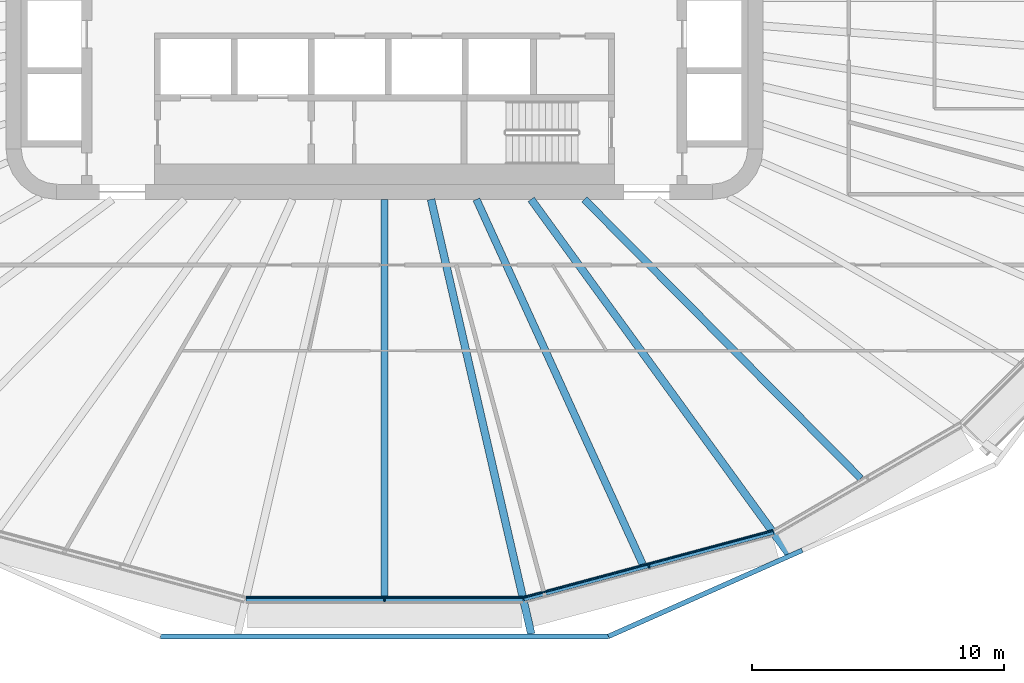
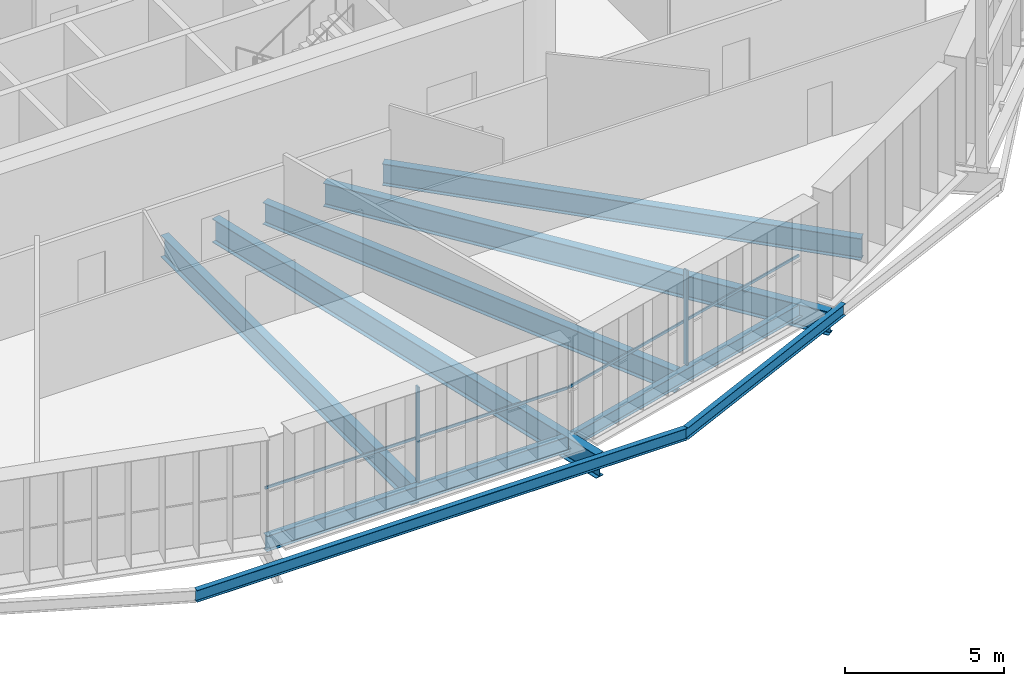
# One storey, part 4 of 26: 9 beams, 4 members, 2 elements without a shape of their own.
"""IFC4 building model written with IfcOpenShell, lengths in metres."""

from ifc_helpers import new_model, si_unit, direction, frame, origin, origin_2d, place, context, subcontext, project, spatial, rectangle, i_section, extrude, material, layer, layer_set, material_profile, profile_set, type_object, element, aggregate, save


model = new_model("IFC4")

# Units and contexts
model_context = context("Model", 3, precision=1e-05, world=origin(), true_north=direction((0.0, 1.0)))
body_context = subcontext(model_context, "Body", "Model", "MODEL_VIEW")
ifc_project = project(units=[si_unit("LENGTHUNIT", "METRE"), si_unit("AREAUNIT", "SQUARE_METRE"), si_unit("VOLUMEUNIT", "CUBIC_METRE"), si_unit("PLANEANGLEUNIT", "RADIAN"), si_unit("MASSUNIT", "GRAM", prefix="KILO")], contexts=[model_context])

# Site, building, storey
site_placement = place(None, origin())
site = spatial("IfcSite", under=ifc_project, at=site_placement, CompositionType="ELEMENT")
building_placement = place(site_placement, origin())
building = spatial("IfcBuilding", under=site, at=building_placement, Name="Sahrelin Media Tower", CompositionType="ELEMENT")
storey_placement = place(building_placement, frame((0.0, 0.0, 102.0)))
storey = spatial("IfcBuildingStorey", under=building, at=storey_placement, Name="L19", CompositionType="ELEMENT", Elevation=102.0)

# Beams
ifc_material_1 = material(Name="Steel S355", Category="steel")
ifc_material_profile_1 = material_profile(ifc_material_1, i_section(OverallWidth=0.208740234375, OverallDepth=0.5283203125, WebThickness=0.009521484375, FlangeThickness=0.01318359375, FilletRadius=0.0126953125, at=origin_2d()), Name="UB 533x210x82")
ifc_profile_set_1 = profile_set([ifc_material_profile_1], Name="Steel S355")
beam_type_1 = type_object("IfcBeamType", Name="Edge beam EB6", PredefinedType="BEAM", material=ifc_profile_set_1)
beam_1_placement = place(storey_placement, frame((15.41162109375, -21.17431640625, -0.414306640625), z_axis=(-0.965929419345, -0.258805635261, 0.0), x_axis=(0.258805635261, -0.965929419345, 0.0)))
element("IfcBeam", 1, at=beam_1_placement, inside=storey, type_object=beam_type_1, Name="Edge beam L19-06", PredefinedType="BEAM", context=body_context, shape_type="SweptSolid", body=[
    extrude(i_section(OverallWidth=0.208740234375, OverallDepth=0.5283203125, WebThickness=0.009521484375, FlangeThickness=0.01318359375, FilletRadius=0.0126953125, at=origin_2d()), origin(), (0.0, 0.0, 1.0), 10.235107421875),
])
ifc_material_profile_2 = material_profile(ifc_material_1, i_section(OverallWidth=0.2275390625, OverallDepth=0.6025390625, WebThickness=0.010498046875, FlangeThickness=0.014892578125, FilletRadius=0.0126953125, at=origin_2d()), Name="UB 610x229x101")
ifc_profile_set_2 = profile_set([ifc_material_profile_2], Name="Steel S355")
beam_type_2 = type_object("IfcBeamType", Name="Edge beam EB7", PredefinedType="BEAM", material=ifc_profile_set_2)
beam_2_placement = place(storey_placement, frame((5.49658203125, -23.8271484375, -0.451416015625), z_axis=(-1.0, 0.0, 0.0), x_axis=(0.0, -1.0, 0.0)))
element("IfcBeam", 2, at=beam_2_placement, inside=storey, type_object=beam_type_2, Name="Edge beam L19-07", PredefinedType="BEAM", context=body_context, shape_type="SweptSolid", body=[
    extrude(i_section(OverallWidth=0.2275390625, OverallDepth=0.6025390625, WebThickness=0.010498046875, FlangeThickness=0.014892578125, FilletRadius=0.0126953125, at=origin_2d()), origin(), (0.0, 0.0, 1.0), 10.9931640625),
])

# Curtain wall, member
ifc_material_2 = material(Name="Champagne anodised aluminium 6063-T6", Category="aluminium")
ifc_layer = layer(ifc_material_2, 0.14990234375)
ifc_layer_set = layer_set([ifc_layer], Name="Tower ribbon curtain wall")
curtain_wall_type = type_object("IfcCurtainWallType", Name="Tower ribbon curtain wall", PredefinedType="NOTDEFINED", material=ifc_layer_set)
curtain_wall_1_placement = place(storey_placement, frame((0.0, -23.97705078125, 0.0), z_axis=(0.0, 0.0, 1.0), x_axis=(1.0, 0.0, 0.0)))
curtain_wall_1 = element("IfcCurtainWall", 3, at=curtain_wall_1_placement, inside=storey, type_object=curtain_wall_type, Name="L19:CW:L19-18", PredefinedType="NOTDEFINED")
ifc_material_profile_3 = material_profile(ifc_material_2, rectangle(XDim=0.06005859375, YDim=0.14990234375, at=origin_2d()), Name="Mullion 60x150")
ifc_profile_set_3 = profile_set([ifc_material_profile_3], Name="Champagne anodised aluminium 6063-T6")
member_type_1 = type_object("IfcMemberType", Name="Mullion 60x150 CW1", PredefinedType="MULLION", material=ifc_profile_set_3)
member_1_placement = place(storey_placement, frame((0.0, -23.882080078125, 0.0), z_axis=(0.0, 0.0, 1.0), x_axis=(1.0, 0.0, 0.0)))
member_1 = element("IfcMember", 4, at=member_1_placement, type_object=member_type_1, Name="L19:CWM:L19-18", PredefinedType="MULLION", context=body_context, shape_type="SweptSolid", body=[
    extrude(rectangle(XDim=0.06005859375, YDim=0.14990234375, at=origin_2d()), origin(), (0.0, 0.0, 1.0), 3.648681640625),
])

curtain_wall_2_placement = place(storey_placement, frame((10.50732421875, -22.643798828125, 0.0), z_axis=(0.0, 0.0, 1.0), x_axis=(1.0, 0.0, 0.0)))
curtain_wall_2 = element("IfcCurtainWall", 5, at=curtain_wall_2_placement, inside=storey, type_object=curtain_wall_type, Name="L19:CW:L19-19", PredefinedType="NOTDEFINED")
member_2_placement = place(storey_placement, frame((10.482666015625, -22.552001953125, 0.0), z_axis=(0.0, 0.0, 1.0), x_axis=(0.965926278012, 0.258817359244, 0.0)))
member_2 = element("IfcMember", 6, at=member_2_placement, type_object=member_type_1, Name="L19:CWM:L19-19", PredefinedType="MULLION", context=body_context, shape_type="SweptSolid", body=[
    extrude(rectangle(XDim=0.06005859375, YDim=0.14990234375, at=origin_2d()), origin(), (0.0, 0.0, 1.0), 3.648681640625),
])

# Beams
ifc_material_profile_4 = material_profile(ifc_material_1, i_section(OverallWidth=0.30322265625, OverallDepth=0.903076171875, WebThickness=0.01513671875, FlangeThickness=0.020263671875, FilletRadius=0.01904296875, at=origin_2d()), Name="UB 914x305x201")
ifc_profile_set_4 = profile_set([ifc_material_profile_4], Name="Steel S355")
beam_type_3 = type_object("IfcBeamType", Name="Radial primary beam PB11", PredefinedType="BEAM", material=ifc_profile_set_4)
beam_3_placement = place(storey_placement, frame((1.845458984375, -8.0, -0.6015625), z_axis=(0.224765702956, -0.974412837957, 0.0), x_axis=(0.974412837957, 0.224765702956, 0.0)))
element("IfcBeam", 7, at=beam_3_placement, inside=storey, type_object=beam_type_3, Name="Radial beam L19-19", PredefinedType="BEAM", context=body_context, shape_type="SweptSolid", body=[
    extrude(i_section(OverallWidth=0.30322265625, OverallDepth=0.903076171875, WebThickness=0.01513671875, FlangeThickness=0.020263671875, FilletRadius=0.01904296875, at=origin_2d()), origin(), (0.0, 0.0, 1.0), 17.677978515625),
])
beam_4_placement = place(storey_placement, frame((5.8125, -8.0, -0.6015625), z_axis=(0.587811216872, -0.808998129367, 0.0), x_axis=(0.808998129367, 0.587811216872, 0.0)))
element("IfcBeam", 8, at=beam_4_placement, inside=storey, type_object=beam_type_3, Name="Radial beam L19-20", PredefinedType="BEAM", context=body_context, shape_type="SweptSolid", body=[
    extrude(i_section(OverallWidth=0.30322265625, OverallDepth=0.903076171875, WebThickness=0.01513671875, FlangeThickness=0.020263671875, FilletRadius=0.01904296875, at=origin_2d()), origin(), (0.0, 0.0, 1.0), 17.359130859375),
])
ifc_material_profile_5 = material_profile(ifc_material_1, i_section(OverallWidth=0.291748046875, OverallDepth=0.8349609375, WebThickness=0.013916015625, FlangeThickness=0.018798828125, FilletRadius=0.017822265625, at=origin_2d()), Name="UB 838x292x176")
ifc_profile_set_5 = profile_set([ifc_material_profile_5], Name="Steel S355")
beam_type_4 = type_object("IfcBeamType", Name="Radial secondary beam SB10", PredefinedType="BEAM", material=ifc_profile_set_5)
beam_5_placement = place(storey_placement, frame((0.0, -8.0, -0.5673828125), z_axis=(0.0, -1.0, 0.0), x_axis=(1.0, 0.0, 0.0)))
element("IfcBeam", 9, at=beam_5_placement, inside=storey, type_object=beam_type_4, Name="Secondary beam L19-18", PredefinedType="BEAM", context=body_context, shape_type="SweptSolid", body=[
    extrude(i_section(OverallWidth=0.291748046875, OverallDepth=0.8349609375, WebThickness=0.013916015625, FlangeThickness=0.018798828125, FilletRadius=0.017822265625, at=origin_2d()), origin(), (0.0, 0.0, 1.0), 15.71337890625),
])
beam_6_placement = place(storey_placement, frame((3.64501953125, -8.0, -0.5673828125), z_axis=(0.414626132753, -0.909991851633, 0.0), x_axis=(0.909991851633, 0.414626132753, 0.0)))
element("IfcBeam", 10, at=beam_6_placement, inside=storey, type_object=beam_type_4, Name="Secondary beam L19-19", PredefinedType="BEAM", context=body_context, shape_type="SweptSolid", body=[
    extrude(i_section(OverallWidth=0.291748046875, OverallDepth=0.8349609375, WebThickness=0.013916015625, FlangeThickness=0.018798828125, FilletRadius=0.017822265625, at=origin_2d()), origin(), (0.0, 0.0, 1.0), 15.884033203125),
])
beam_7_placement = place(storey_placement, frame((7.92138671875, -8.0, -0.5673828125), z_axis=(0.703602310212, -0.7105939692, 0.0), x_axis=(0.7105939692, 0.703602310212, 0.0)))
element("IfcBeam", 11, at=beam_7_placement, inside=storey, type_object=beam_type_4, Name="Secondary beam L19-20", PredefinedType="BEAM", context=body_context, shape_type="SweptSolid", body=[
    extrude(i_section(OverallWidth=0.291748046875, OverallDepth=0.8349609375, WebThickness=0.013916015625, FlangeThickness=0.018798828125, FilletRadius=0.017822265625, at=origin_2d()), origin(), (0.0, 0.0, 1.0), 15.57373046875),
])
ifc_material_profile_6 = material_profile(ifc_material_1, i_section(OverallWidth=0.1904296875, OverallDepth=0.45703125, WebThickness=0.009033203125, FlangeThickness=0.014404296875, FilletRadius=0.01025390625, at=origin_2d()), Name="UB 457x191x74")
ifc_profile_set_6 = profile_set([ifc_material_profile_6], Name="Steel S355")
beam_type_5 = type_object("IfcBeamType", Name="Tie chord TC5", PredefinedType="BEAM", material=ifc_profile_set_6)
beam_8_placement = place(storey_placement, frame((16.55615234375, -21.90771484375, -0.37841796875), z_axis=(-0.913854661009, -0.406041449304, 0.0), x_axis=(0.406041449304, -0.913854661009, 0.0)))
element("IfcBeam", 12, at=beam_8_placement, inside=storey, type_object=beam_type_5, Name="Tie chord L19-05", PredefinedType="BEAM", context=body_context, shape_type="SweptSolid", body=[
    extrude(i_section(OverallWidth=0.1904296875, OverallDepth=0.45703125, WebThickness=0.009033203125, FlangeThickness=0.014404296875, FilletRadius=0.01025390625, at=origin_2d()), origin(), (0.0, 0.0, 1.0), 8.40576171875),
])
beam_9_placement = place(storey_placement, frame((8.87451171875, -25.32080078125, -0.37841796875), z_axis=(-1.0, 0.0, 0.0), x_axis=(0.0, -1.0, 0.0)))
element("IfcBeam", 13, at=beam_9_placement, inside=storey, type_object=beam_type_5, Name="Tie chord L19-06", PredefinedType="BEAM", context=body_context, shape_type="SweptSolid", body=[
    extrude(i_section(OverallWidth=0.1904296875, OverallDepth=0.45703125, WebThickness=0.009033203125, FlangeThickness=0.014404296875, FilletRadius=0.01025390625, at=origin_2d()), origin(), (0.0, 0.0, 1.0), 17.7490234375),
])

# Member
ifc_material_profile_7 = material_profile(ifc_material_2, rectangle(XDim=0.050048828125, YDim=0.10009765625, at=origin_2d()), Name="Transom 50x100")
ifc_profile_set_7 = profile_set([ifc_material_profile_7], Name="Champagne anodised aluminium 6063-T6")
member_type_2 = type_object("IfcMemberType", Name="Transom 50x100 CW1", PredefinedType="USERDEFINED", material=ifc_profile_set_7)
member_3_placement = place(storey_placement, frame((-5.48095703125, -23.781982421875, 1.60009765625), z_axis=(1.0, 0.0, 0.0), x_axis=(0.0, 1.0, 0.0)))
member_3 = element("IfcMember", 14, at=member_3_placement, type_object=member_type_2, Name="L19:CWT:L19-18", ObjectType="TRANSOM", PredefinedType="USERDEFINED", context=body_context, shape_type="SweptSolid", body=[
    extrude(rectangle(XDim=0.050048828125, YDim=0.10009765625, at=origin_2d()), origin(), (0.0, 0.0, 1.0), 10.9619140625),
])

aggregate(curtain_wall_1, [member_1, member_3])

member_4_placement = place(storey_placement, frame((5.52880859375, -23.77587890625, 1.60009765625), z_axis=(0.965926477685, 0.258816614048, 0.0), x_axis=(-0.258816614048, 0.965926477685, 0.0)))
member_4 = element("IfcMember", 15, at=member_4_placement, type_object=member_type_2, Name="L19:CWT:L19-19", ObjectType="TRANSOM", PredefinedType="USERDEFINED", context=body_context, shape_type="SweptSolid", body=[
    extrude(rectangle(XDim=0.050048828125, YDim=0.10009765625, at=origin_2d()), origin(), (0.0, 0.0, 1.0), 10.20361328125),
])

aggregate(curtain_wall_2, [member_2, member_4])

save(model, "model.ifc")
